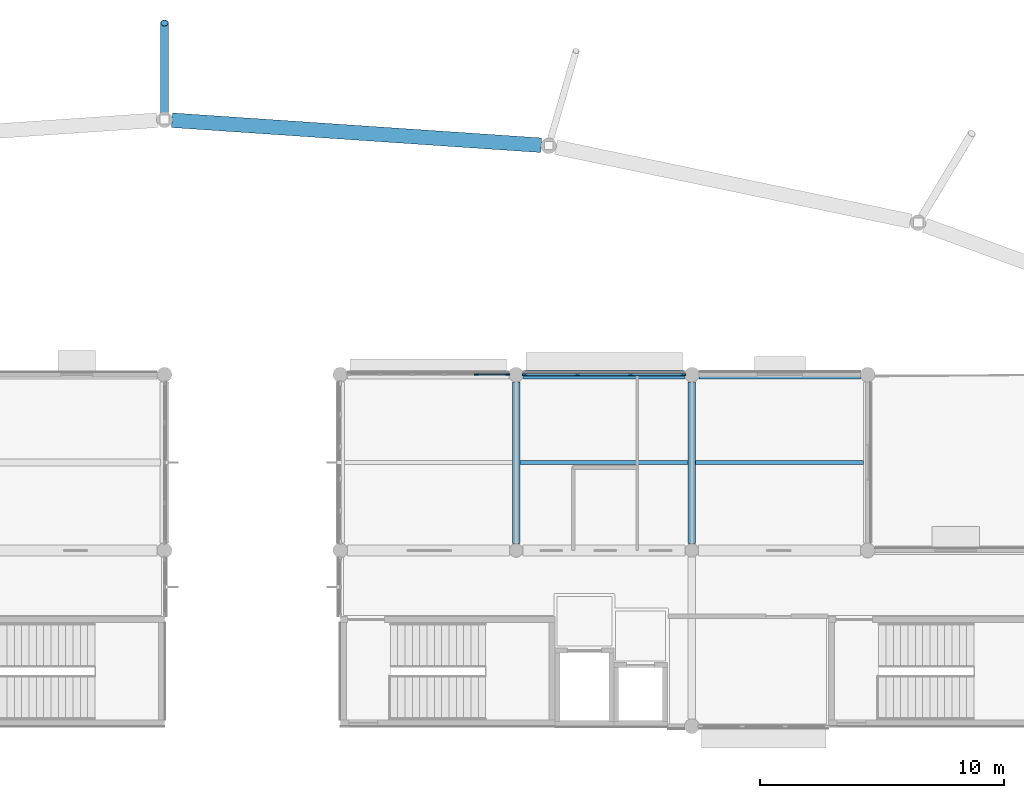
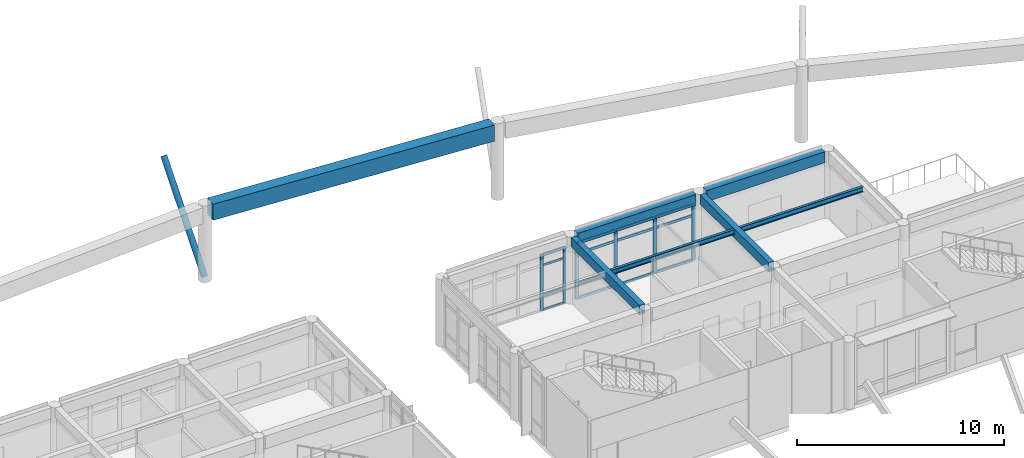
# One storey, part 13 of 37: 23 members, 7 beams, 2 elements without a shape of their own.
"""IFC4 building model written with IfcOpenShell, lengths in metres."""

from ifc_helpers import new_model, si_unit, direction, frame, origin, origin_2d, place, context, subcontext, project, spatial, rectangle, hollow_circle, i_section, extrude, material, layer, layer_set, material_profile, profile_set, type_object, element, aggregate, save


model = new_model("IFC4")

# Units and contexts
model_context = context("Model", 3, precision=1e-05, world=origin(), true_north=direction((0.0, 1.0)))
body_context = subcontext(model_context, "Body", "Model", "MODEL_VIEW")
ifc_project = project(units=[si_unit("LENGTHUNIT", "METRE"), si_unit("AREAUNIT", "SQUARE_METRE"), si_unit("VOLUMEUNIT", "CUBIC_METRE"), si_unit("PLANEANGLEUNIT", "RADIAN"), si_unit("MASSUNIT", "GRAM", prefix="KILO")], contexts=[model_context])

# Site, building, storey
site_placement = place(None, origin())
site = spatial("IfcSite", under=ifc_project, at=site_placement, CompositionType="ELEMENT")
building_placement = place(site_placement, origin())
building = spatial("IfcBuilding", under=site, at=building_placement, Name="Namkhue Oval Health Centre", CompositionType="ELEMENT")
storey_placement = place(building_placement, frame((0.0, 0.0, 22.199951171875)))
storey = spatial("IfcBuildingStorey", under=building, at=storey_placement, Name="L05", CompositionType="ELEMENT", Elevation=22.199951171875)

# Member
ifc_material_1 = material(Name="Structural steel EN 10025-2 S355JR (TCVN 5575:2024)", Category="steel")
ifc_material_profile_1 = material_profile(ifc_material_1, hollow_circle(Radius=0.161865234375, WallThickness=0.012451171875, at=origin_2d()), Name="CHS 323.9x12.5")
ifc_profile_set_1 = profile_set([ifc_material_profile_1], Name="Structural steel EN 10025-2 S355JR (TCVN 5575:2024)")
member_type_1 = type_object("IfcMemberType", Name="CANOPY STRUT CHS 324", PredefinedType="STRUT", material=ifc_profile_set_1)
member_1_placement = place(storey_placement, frame((86.39990234375, 114.852783203125, 0.115478515625), z_axis=(0.0, 0.637961712334, 0.77006808374), x_axis=(-1.0, 0.0, 0.0)))
element("IfcMember", 1, at=member_1_placement, inside=storey, type_object=member_type_1, Name="Outer Overhang Tree-Branch Canopy Strut 9", PredefinedType="STRUT", context=body_context, shape_type="SweptSolid", body=[
    extrude(hollow_circle(Radius=0.161865234375, WallThickness=0.012451171875, at=origin_2d()), origin(), (0.0, 0.0, 1.0), 6.187255859375),
])

# Curtain wall, members
ifc_material_2 = material(Name="Anodised aluminium EN AW-6063 T6", Category="aluminium")
ifc_layer_1 = layer(ifc_material_2, 0.159912109375)
ifc_layer_set_1 = layer_set([ifc_layer_1], Name="Anodised aluminium EN AW-6063 T6")
curtain_wall_type_1 = type_object("IfcCurtainWallType", Name="UNITISED CURTAIN WALL M1200", PredefinedType="NOTDEFINED", material=ifc_layer_set_1)
curtain_wall_1_placement = place(storey_placement, origin())
curtain_wall_1 = element("IfcCurtainWall", 2, at=curtain_wall_1_placement, inside=storey, type_object=curtain_wall_type_1, Name="Volume V3 L05 Unitised Curtain Wall 133", PredefinedType="NOTDEFINED")
ifc_material_profile_2 = material_profile(ifc_material_2, rectangle(XDim=0.06494140625, YDim=0.159912109375, at=origin_2d()), Name="ALU 65x160")
ifc_profile_set_2 = profile_set([ifc_material_profile_2], Name="Anodised aluminium EN AW-6063 T6")
member_type_2 = type_object("IfcMemberType", Name="CURTAIN WALL MULLION 65X160", PredefinedType="MULLION", material=ifc_profile_set_2)
member_2_placement = place(storey_placement, frame((100.45751953125, 104.39990234375, 0.0), z_axis=(0.0, 0.0, 1.0), x_axis=(0.0, -1.0, 0.0)))
member_2 = element("IfcMember", 3, at=member_2_placement, type_object=member_type_2, Name="CW-01 mullion 1", PredefinedType="MULLION", context=body_context, shape_type="SweptSolid", body=[
    extrude(rectangle(XDim=0.06494140625, YDim=0.159912109375, at=origin_2d()), origin(), (0.0, 0.0, 1.0), 3.320068359375),
])
member_3_placement = place(storey_placement, frame((99.174072265625, 104.39990234375, 0.0), z_axis=(0.0, 0.0, 1.0), x_axis=(0.0, -1.0, 0.0)))
member_3 = element("IfcMember", 4, at=member_3_placement, type_object=member_type_2, Name="CW-01 mullion 2", PredefinedType="MULLION", context=body_context, shape_type="SweptSolid", body=[
    extrude(rectangle(XDim=0.06494140625, YDim=0.159912109375, at=origin_2d()), origin(), (0.0, 0.0, 1.0), 3.320068359375),
])

ifc_layer_2 = layer(ifc_material_2, 0.159912109375)
ifc_layer_set_2 = layer_set([ifc_layer_2], Name="Anodised aluminium EN AW-6063 T6")
curtain_wall_type_2 = type_object("IfcCurtainWallType", Name="UNITISED CURTAIN WALL M2000", PredefinedType="NOTDEFINED", material=ifc_layer_set_2)
curtain_wall_2_placement = place(storey_placement, origin())
curtain_wall_2 = element("IfcCurtainWall", 5, at=curtain_wall_2_placement, inside=storey, type_object=curtain_wall_type_2, Name="Volume V3 L05 Unitised Curtain Wall 132", PredefinedType="NOTDEFINED")
ifc_material_profile_3 = material_profile(ifc_material_2, rectangle(XDim=0.074951171875, YDim=0.199951171875, at=origin_2d()), Name="ALU 75x200")
ifc_profile_set_3 = profile_set([ifc_material_profile_3], Name="Anodised aluminium EN AW-6063 T6")
member_type_3 = type_object("IfcMemberType", Name="CURTAIN WALL MULLION 75X200", PredefinedType="MULLION", material=ifc_profile_set_3)
member_4_placement = place(storey_placement, frame((107.652587890625, 104.39990234375, 0.0), z_axis=(0.0, 0.0, 1.0), x_axis=(0.0, -1.0, 0.0)))
member_4 = element("IfcMember", 6, at=member_4_placement, type_object=member_type_3, Name="CW-06 mullion 1", PredefinedType="MULLION", context=body_context, shape_type="SweptSolid", body=[
    extrude(rectangle(XDim=0.074951171875, YDim=0.199951171875, at=origin_2d()), origin(), (0.0, 0.0, 1.0), 3.320068359375),
])
member_5_placement = place(storey_placement, frame((105.49658203125, 104.39990234375, 0.0), z_axis=(0.0, 0.0, 1.0), x_axis=(0.0, -1.0, 0.0)))
member_5 = element("IfcMember", 7, at=member_5_placement, type_object=member_type_3, Name="CW-06 mullion 2", PredefinedType="MULLION", context=body_context, shape_type="SweptSolid", body=[
    extrude(rectangle(XDim=0.074951171875, YDim=0.199951171875, at=origin_2d()), origin(), (0.0, 0.0, 1.0), 3.320068359375),
])
member_6_placement = place(storey_placement, frame((103.30322265625, 104.39990234375, 0.0), z_axis=(0.0, 0.0, 1.0), x_axis=(0.0, -1.0, 0.0)))
member_6 = element("IfcMember", 8, at=member_6_placement, type_object=member_type_3, Name="CW-06 mullion 3", PredefinedType="MULLION", context=body_context, shape_type="SweptSolid", body=[
    extrude(rectangle(XDim=0.074951171875, YDim=0.199951171875, at=origin_2d()), origin(), (0.0, 0.0, 1.0), 3.320068359375),
])
member_7_placement = place(storey_placement, frame((101.1474609375, 104.39990234375, 0.0), z_axis=(0.0, 0.0, 1.0), x_axis=(0.0, -1.0, 0.0)))
member_7 = element("IfcMember", 9, at=member_7_placement, type_object=member_type_3, Name="CW-06 mullion 4", PredefinedType="MULLION", context=body_context, shape_type="SweptSolid", body=[
    extrude(rectangle(XDim=0.074951171875, YDim=0.199951171875, at=origin_2d()), origin(), (0.0, 0.0, 1.0), 3.320068359375),
])

# Member
ifc_material_profile_4 = material_profile(ifc_material_2, rectangle(XDim=0.06494140625, YDim=0.1201171875, at=origin_2d()), Name="ALU 65x120")
ifc_profile_set_4 = profile_set([ifc_material_profile_4], Name="Anodised aluminium EN AW-6063 T6")
member_type_4 = type_object("IfcMemberType", Name="CURTAIN WALL TRANSOM 65X120", PredefinedType="USERDEFINED", material=ifc_profile_set_4)
member_8_placement = place(storey_placement, frame((100.425048828125, 104.39990234375, 0.032470703125), z_axis=(-1.0, 0.0, 0.0), x_axis=(0.0, -1.0, 0.0)))
member_8 = element("IfcMember", 10, at=member_8_placement, type_object=member_type_4, Name="CW-01 transom 1.1", ObjectType="TRANSOM", PredefinedType="USERDEFINED", context=body_context, shape_type="SweptSolid", body=[
    extrude(rectangle(XDim=0.06494140625, YDim=0.1201171875, at=origin_2d()), origin(), (0.0, 0.0, 1.0), 1.218505859375),
])

member_9_placement = place(storey_placement, frame((100.425048828125, 104.39990234375, 0.900146484375), z_axis=(-1.0, 0.0, 0.0), x_axis=(0.0, -1.0, 0.0)))
member_9 = element("IfcMember", 11, at=member_9_placement, type_object=member_type_4, Name="CW-01 transom 1.2", ObjectType="TRANSOM", PredefinedType="USERDEFINED", context=body_context, shape_type="SweptSolid", body=[
    extrude(rectangle(XDim=0.06494140625, YDim=0.1201171875, at=origin_2d()), origin(), (0.0, 0.0, 1.0), 1.218505859375),
])

member_10_placement = place(storey_placement, frame((100.425048828125, 104.39990234375, 2.670166015625), z_axis=(-1.0, 0.0, 0.0), x_axis=(0.0, -1.0, 0.0)))
member_10 = element("IfcMember", 12, at=member_10_placement, type_object=member_type_4, Name="CW-01 transom 1.3", ObjectType="TRANSOM", PredefinedType="USERDEFINED", context=body_context, shape_type="SweptSolid", body=[
    extrude(rectangle(XDim=0.06494140625, YDim=0.1201171875, at=origin_2d()), origin(), (0.0, 0.0, 1.0), 1.218505859375),
])

member_11_placement = place(storey_placement, frame((100.425048828125, 104.39990234375, 3.28759765625), z_axis=(-1.0, 0.0, 0.0), x_axis=(0.0, -1.0, 0.0)))
member_11 = element("IfcMember", 13, at=member_11_placement, type_object=member_type_4, Name="CW-01 transom 1.4", ObjectType="TRANSOM", PredefinedType="USERDEFINED", context=body_context, shape_type="SweptSolid", body=[
    extrude(rectangle(XDim=0.06494140625, YDim=0.1201171875, at=origin_2d()), origin(), (0.0, 0.0, 1.0), 1.218505859375),
])

aggregate(curtain_wall_1, [member_2, member_3, member_8, member_9, member_10, member_11])

ifc_material_profile_5 = material_profile(ifc_material_2, rectangle(XDim=0.074951171875, YDim=0.14990234375, at=origin_2d()), Name="ALU 75x150")
ifc_profile_set_5 = profile_set([ifc_material_profile_5], Name="Anodised aluminium EN AW-6063 T6")
member_type_5 = type_object("IfcMemberType", Name="CURTAIN WALL TRANSOM 75X150", PredefinedType="USERDEFINED", material=ifc_profile_set_5)
member_12_placement = place(storey_placement, frame((107.614990234375, 104.39990234375, 0.03759765625), z_axis=(-1.0, 0.0, 0.0), x_axis=(0.0, -1.0, 0.0)))
member_12 = element("IfcMember", 14, at=member_12_placement, type_object=member_type_5, Name="CW-06 transom 1.1", ObjectType="TRANSOM", PredefinedType="USERDEFINED", context=body_context, shape_type="SweptSolid", body=[
    extrude(rectangle(XDim=0.074951171875, YDim=0.14990234375, at=origin_2d()), origin(), (0.0, 0.0, 1.0), 2.080810546875),
])

member_13_placement = place(storey_placement, frame((107.614990234375, 104.39990234375, 0.900146484375), z_axis=(-1.0, 0.0, 0.0), x_axis=(0.0, -1.0, 0.0)))
member_13 = element("IfcMember", 15, at=member_13_placement, type_object=member_type_5, Name="CW-06 transom 1.2", ObjectType="TRANSOM", PredefinedType="USERDEFINED", context=body_context, shape_type="SweptSolid", body=[
    extrude(rectangle(XDim=0.074951171875, YDim=0.14990234375, at=origin_2d()), origin(), (0.0, 0.0, 1.0), 2.080810546875),
])

member_14_placement = place(storey_placement, frame((107.614990234375, 104.39990234375, 2.670166015625), z_axis=(-1.0, 0.0, 0.0), x_axis=(0.0, -1.0, 0.0)))
member_14 = element("IfcMember", 16, at=member_14_placement, type_object=member_type_5, Name="CW-06 transom 1.3", ObjectType="TRANSOM", PredefinedType="USERDEFINED", context=body_context, shape_type="SweptSolid", body=[
    extrude(rectangle(XDim=0.074951171875, YDim=0.14990234375, at=origin_2d()), origin(), (0.0, 0.0, 1.0), 2.080810546875),
])

member_15_placement = place(storey_placement, frame((107.614990234375, 104.39990234375, 3.282470703125), z_axis=(-1.0, 0.0, 0.0), x_axis=(0.0, -1.0, 0.0)))
member_15 = element("IfcMember", 17, at=member_15_placement, type_object=member_type_5, Name="CW-06 transom 1.4", ObjectType="TRANSOM", PredefinedType="USERDEFINED", context=body_context, shape_type="SweptSolid", body=[
    extrude(rectangle(XDim=0.074951171875, YDim=0.14990234375, at=origin_2d()), origin(), (0.0, 0.0, 1.0), 2.080810546875),
])

member_16_placement = place(storey_placement, frame((105.459228515625, 104.39990234375, 0.03759765625), z_axis=(-1.0, 0.0, 0.0), x_axis=(0.0, -1.0, 0.0)))
member_16 = element("IfcMember", 18, at=member_16_placement, type_object=member_type_5, Name="CW-06 transom 2.1", ObjectType="TRANSOM", PredefinedType="USERDEFINED", context=body_context, shape_type="SweptSolid", body=[
    extrude(rectangle(XDim=0.074951171875, YDim=0.14990234375, at=origin_2d()), origin(), (0.0, 0.0, 1.0), 2.118408203125),
])

member_17_placement = place(storey_placement, frame((105.459228515625, 104.39990234375, 0.900146484375), z_axis=(-1.0, 0.0, 0.0), x_axis=(0.0, -1.0, 0.0)))
member_17 = element("IfcMember", 19, at=member_17_placement, type_object=member_type_5, Name="CW-06 transom 2.2", ObjectType="TRANSOM", PredefinedType="USERDEFINED", context=body_context, shape_type="SweptSolid", body=[
    extrude(rectangle(XDim=0.074951171875, YDim=0.14990234375, at=origin_2d()), origin(), (0.0, 0.0, 1.0), 2.118408203125),
])

member_18_placement = place(storey_placement, frame((105.459228515625, 104.39990234375, 2.670166015625), z_axis=(-1.0, 0.0, 0.0), x_axis=(0.0, -1.0, 0.0)))
member_18 = element("IfcMember", 20, at=member_18_placement, type_object=member_type_5, Name="CW-06 transom 2.3", ObjectType="TRANSOM", PredefinedType="USERDEFINED", context=body_context, shape_type="SweptSolid", body=[
    extrude(rectangle(XDim=0.074951171875, YDim=0.14990234375, at=origin_2d()), origin(), (0.0, 0.0, 1.0), 2.118408203125),
])

member_19_placement = place(storey_placement, frame((105.459228515625, 104.39990234375, 3.282470703125), z_axis=(-1.0, 0.0, 0.0), x_axis=(0.0, -1.0, 0.0)))
member_19 = element("IfcMember", 21, at=member_19_placement, type_object=member_type_5, Name="CW-06 transom 2.4", ObjectType="TRANSOM", PredefinedType="USERDEFINED", context=body_context, shape_type="SweptSolid", body=[
    extrude(rectangle(XDim=0.074951171875, YDim=0.14990234375, at=origin_2d()), origin(), (0.0, 0.0, 1.0), 2.118408203125),
])

member_20_placement = place(storey_placement, frame((103.265869140625, 104.39990234375, 0.03759765625), z_axis=(-1.0, 0.0, 0.0), x_axis=(0.0, -1.0, 0.0)))
member_20 = element("IfcMember", 22, at=member_20_placement, type_object=member_type_5, Name="CW-06 transom 3.1", ObjectType="TRANSOM", PredefinedType="USERDEFINED", context=body_context, shape_type="SweptSolid", body=[
    extrude(rectangle(XDim=0.074951171875, YDim=0.14990234375, at=origin_2d()), origin(), (0.0, 0.0, 1.0), 2.080810546875),
])

member_21_placement = place(storey_placement, frame((103.265869140625, 104.39990234375, 0.900146484375), z_axis=(-1.0, 0.0, 0.0), x_axis=(0.0, -1.0, 0.0)))
member_21 = element("IfcMember", 23, at=member_21_placement, type_object=member_type_5, Name="CW-06 transom 3.2", ObjectType="TRANSOM", PredefinedType="USERDEFINED", context=body_context, shape_type="SweptSolid", body=[
    extrude(rectangle(XDim=0.074951171875, YDim=0.14990234375, at=origin_2d()), origin(), (0.0, 0.0, 1.0), 2.080810546875),
])

member_22_placement = place(storey_placement, frame((103.265869140625, 104.39990234375, 2.670166015625), z_axis=(-1.0, 0.0, 0.0), x_axis=(0.0, -1.0, 0.0)))
member_22 = element("IfcMember", 24, at=member_22_placement, type_object=member_type_5, Name="CW-06 transom 3.3", ObjectType="TRANSOM", PredefinedType="USERDEFINED", context=body_context, shape_type="SweptSolid", body=[
    extrude(rectangle(XDim=0.074951171875, YDim=0.14990234375, at=origin_2d()), origin(), (0.0, 0.0, 1.0), 2.080810546875),
])

member_23_placement = place(storey_placement, frame((103.265869140625, 104.39990234375, 3.282470703125), z_axis=(-1.0, 0.0, 0.0), x_axis=(0.0, -1.0, 0.0)))
member_23 = element("IfcMember", 25, at=member_23_placement, type_object=member_type_5, Name="CW-06 transom 3.4", ObjectType="TRANSOM", PredefinedType="USERDEFINED", context=body_context, shape_type="SweptSolid", body=[
    extrude(rectangle(XDim=0.074951171875, YDim=0.14990234375, at=origin_2d()), origin(), (0.0, 0.0, 1.0), 2.080810546875),
])

aggregate(curtain_wall_2, [member_4, member_5, member_6, member_7, member_12, member_13, member_14, member_15, member_16, member_17, member_18, member_19, member_20, member_21, member_22, member_23])

# Beams
ifc_material_3 = material(Name="Reinforced concrete C30/37 (TCVN B35)", Category="concrete")
ifc_material_profile_6 = material_profile(ifc_material_3, rectangle(XDim=0.300048828125, YDim=0.550048828125, at=origin_2d()), Name="RC 300x550")
ifc_profile_set_6 = profile_set([ifc_material_profile_6], Name="Reinforced concrete C30/37 (TCVN B35)")
beam_type_1 = type_object("IfcBeamType", Name="FLOOR BEAM RC 300X550", PredefinedType="BEAM", material=ifc_profile_set_6)
for number, where, z_axis, x_axis, name in (
    (26, (100.800048828125, 97.47509765625, 3.695068359375), (0.0, 1.0, 0.0), (-1.0, 0.0, 0.0), "Volume V3 RF Beam 15/O-P"),
    (27, (108.0, 97.47509765625, 3.695068359375), (0.0, 1.0, 0.0), (-1.0, 0.0, 0.0), "Volume V3 RF Beam 16/O-P"),
):
    element("IfcBeam", number, at=place(storey_placement, frame(where, z_axis=z_axis, x_axis=x_axis)), inside=storey, type_object=beam_type_1, Name=name, PredefinedType="BEAM", context=body_context, shape_type="SweptSolid", body=[
        extrude(rectangle(XDim=0.300048828125, YDim=0.550048828125, at=origin_2d()), origin(), (0.0, 0.0, 1.0), 6.625),
    ])
ifc_material_4 = material(Name="Reinforced concrete C35/45 (TCVN B40)", Category="concrete")
ifc_material_profile_7 = material_profile(ifc_material_4, rectangle(XDim=0.35009765625, YDim=0.64990234375, at=origin_2d()), Name="RC 350x650")
ifc_profile_set_7 = profile_set([ifc_material_profile_7], Name="Reinforced concrete C35/45 (TCVN B40)")
beam_type_2 = type_object("IfcBeamType", Name="PERIMETER SPANDREL BEAM 350X650", PredefinedType="SPANDREL", material=ifc_profile_set_7)
for number, where, z_axis, x_axis, name in (
    (28, (101.10009765625, 104.39990234375, 3.64501953125), (1.0, 0.0, 0.0), (0.0, 1.0, 0.0), "Volume V3 RF Girder P/15-16"),
    (29, (108.300048828125, 104.39990234375, 3.64501953125), (1.0, 0.0, 0.0), (0.0, 1.0, 0.0), "Volume V3 RF Girder P/16-17"),
):
    element("IfcBeam", number, at=place(storey_placement, frame(where, z_axis=z_axis, x_axis=x_axis)), inside=storey, type_object=beam_type_2, Name=name, PredefinedType="SPANDREL", context=body_context, shape_type="SweptSolid", body=[
        extrude(rectangle(XDim=0.35009765625, YDim=0.64990234375, at=origin_2d()), origin(), (0.0, 0.0, 1.0), 6.599853515625),
    ])
ifc_material_profile_8 = material_profile(ifc_material_4, rectangle(XDim=0.60009765625, YDim=0.949951171875, at=origin_2d()), Name="RC 600x950")
ifc_profile_set_8 = profile_set([ifc_material_profile_8], Name="Reinforced concrete C35/45 (TCVN B40)")
beam_type_3 = type_object("IfcBeamType", Name="RING GIRDER RC 600X950", PredefinedType="USERDEFINED", material=ifc_profile_set_8)
beam_1_placement = place(storey_placement, frame((101.827880859375, 113.79541015625, 4.025146484375), z_axis=(-0.99771592483, 0.067549488082, 0.0), x_axis=(-0.067549488082, -0.99771592483, 0.0)))
element("IfcBeam", 30, at=beam_1_placement, inside=storey, type_object=beam_type_3, Name="Gridshell OR Concrete Ring Girder 8", ObjectType="GIRDER", PredefinedType="USERDEFINED", context=body_context, shape_type="SweptSolid", body=[
    extrude(rectangle(XDim=0.60009765625, YDim=0.949951171875, at=origin_2d()), origin(), (0.0, 0.0, 1.0), 15.158203125),
])
ifc_material_profile_9 = material_profile(ifc_material_1, i_section(OverallWidth=0.14990234375, OverallDepth=0.300048828125, WebThickness=0.007080078125, FlangeThickness=0.0107421875, FilletRadius=0.014892578125, at=origin_2d()), Name="IPE 300")
ifc_profile_set_9 = profile_set([ifc_material_profile_9], Name="Structural steel EN 10025-2 S355JR (TCVN 5575:2024)")
beam_type_4 = type_object("IfcBeamType", Name="SECONDARY JOIST STEEL IPE 300", PredefinedType="JOIST", material=ifc_profile_set_9)
beam_2_placement = place(storey_placement, frame((100.949951171875, 100.800048828125, 3.820068359375), z_axis=(1.0, 0.0, 0.0), x_axis=(0.0, 1.0, 0.0)))
element("IfcBeam", 31, at=beam_2_placement, inside=storey, type_object=beam_type_4, Name="Volume V3 RF Secondary Joist 15-16", PredefinedType="JOIST", context=body_context, shape_type="SweptSolid", body=[
    extrude(i_section(OverallWidth=0.14990234375, OverallDepth=0.300048828125, WebThickness=0.007080078125, FlangeThickness=0.0107421875, FilletRadius=0.014892578125, at=origin_2d()), origin(), (0.0, 0.0, 1.0), 6.900146484375),
])
beam_3_placement = place(storey_placement, frame((108.14990234375, 100.800048828125, 3.820068359375), z_axis=(1.0, 0.0, 0.0), x_axis=(0.0, 1.0, 0.0)))
element("IfcBeam", 32, at=beam_3_placement, inside=storey, type_object=beam_type_4, Name="Volume V3 RF Secondary Joist 16-17", PredefinedType="JOIST", context=body_context, shape_type="SweptSolid", body=[
    extrude(i_section(OverallWidth=0.14990234375, OverallDepth=0.300048828125, WebThickness=0.007080078125, FlangeThickness=0.0107421875, FilletRadius=0.014892578125, at=origin_2d()), origin(), (0.0, 0.0, 1.0), 6.875),
])

save(model, "model.ifc")
